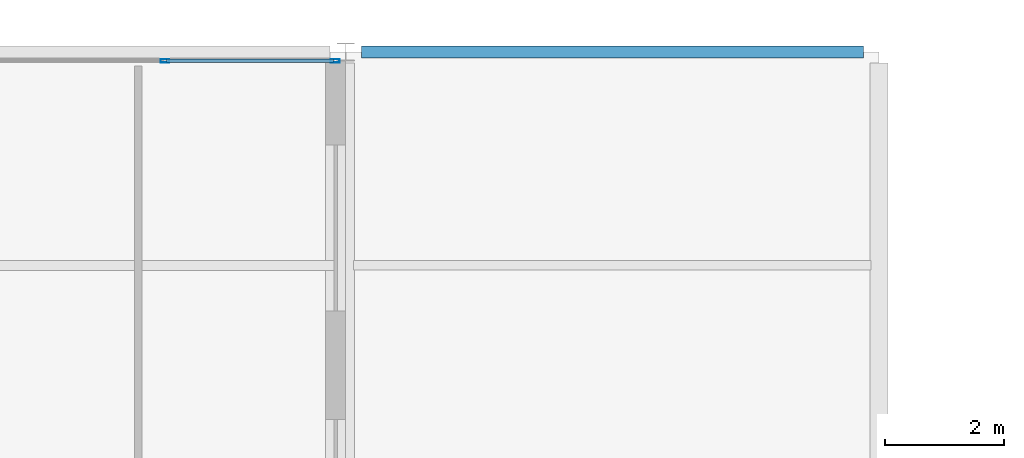
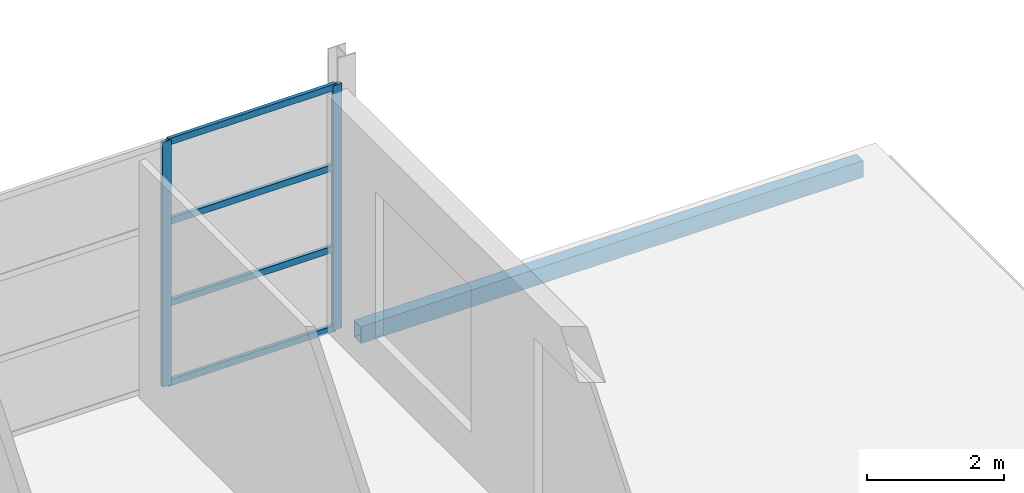
# One storey, part 62 of 134: 6 members, 1 beam, 1 element without a shape of its own.
"""IFC4 building model written with IfcOpenShell, lengths in metres."""

import ifcopenshell
import ifcopenshell.guid

model = None  # the IFC model being written
_history = None  # IfcOwnerHistory: only IFC2X3 demands one
_inside = {}  # id of a spatial element -> (the spatial element, [elements in it])
_under = {}  # id of a project, library or spatial element -> (it, [spatial elements below it])
_declared = {}  # id of a project -> (the project, [libraries it declares])
_typed = {}  # id of a type object -> (the type object, [elements of that type])
_made_of = {}  # id of a material, layer set ... -> (it, [elements and type objects made of it])


def new_model(schema):
    """Start an empty IFC model of exactly this schema.

    Asked for "IFC4X3", IfcOpenShell would pick the latest addendum, in which some entities
    have other attributes; the version numbers below select the first issue.
    IFC2X3 requires an IfcOwnerHistory on every rooted entity: one is made here for all.
    """
    global model, _history
    if schema == "IFC4X3":
        model = ifcopenshell.file(schema_version=(4, 3, 0, 0))
    else:
        model = ifcopenshell.file(schema=schema)
    _inside.clear()
    _under.clear()
    _declared.clear()
    _typed.clear()
    _made_of.clear()
    _history = None
    if model.schema == "IFC2X3":
        org = make("IfcOrganization", Name="unknown")
        user = make(
            "IfcPersonAndOrganization",
            ThePerson=make("IfcPerson", FamilyName="unknown"),
            TheOrganization=org,
        )
        app = make(
            "IfcApplication",
            ApplicationDeveloper=org,
            Version="unknown",
            ApplicationFullName="unknown",
            ApplicationIdentifier="unknown",
        )
        _history = make(
            "IfcOwnerHistory",
            OwningUser=user,
            OwningApplication=app,
            ChangeAction="ADDED",
            CreationDate=0,
        )
    return model


def make(cls, **values):
    """One entity of the class cls with the attributes given. An attribute that is None is left unset."""
    return model.create_entity(
        cls, **{name: value for name, value in values.items() if value is not None}
    )


def rooted(cls, **values):
    """An entity with a GlobalId (a new one), such as an element, a storey or a relation."""
    return make(cls, GlobalId=ifcopenshell.guid.new(), OwnerHistory=_history, **values)


def si_unit(unit_type, name, prefix=None):
    """IfcSIUnit, for example si_unit("LENGTHUNIT", "METRE", prefix="MILLI")."""
    return make("IfcSIUnit", UnitType=unit_type, Prefix=prefix, Name=name)


def assignment(units):
    """IfcUnitAssignment: the units of a project."""
    return None if units is None else make("IfcUnitAssignment", Units=units)


def point(xyz):
    """IfcCartesianPoint."""
    return None if xyz is None else make("IfcCartesianPoint", Coordinates=xyz)


def direction(xyz):
    """IfcDirection."""
    return None if xyz is None else make("IfcDirection", DirectionRatios=xyz)


def frame(location, z_axis=None, x_axis=None):
    """IfcAxis2Placement3D, a coordinate frame: its origin and axes. An axis left out is left unset."""
    return make(
        "IfcAxis2Placement3D",
        Location=point(location),
        Axis=direction(z_axis),
        RefDirection=direction(x_axis),
    )


def frame_2d(location, x_axis=None):
    """IfcAxis2Placement2D, a coordinate frame in the plane: its origin and x axis."""
    return make(
        "IfcAxis2Placement2D", Location=point(location), RefDirection=direction(x_axis)
    )


def origin():
    """The frame at (0, 0, 0) with its axes left unset."""
    return frame((0.0, 0.0, 0.0))


def origin_2d():
    """The frame at (0, 0) in the plane with its x axis left unset."""
    return frame_2d((0.0, 0.0))


def place(relative_to, where):
    """IfcLocalPlacement: puts the frame where relative to a parent placement (None: the world)."""
    return make(
        "IfcLocalPlacement", PlacementRelTo=relative_to, RelativePlacement=where
    )


def context(
    kind, dimensions, precision=None, world=None, true_north=None, identifier=None
):
    """IfcGeometricRepresentationContext, for example the 3D "Model" context."""
    return make(
        "IfcGeometricRepresentationContext",
        ContextIdentifier=identifier,
        ContextType=kind,
        CoordinateSpaceDimension=dimensions,
        Precision=precision,
        WorldCoordinateSystem=world,
        TrueNorth=true_north,
    )


def subcontext(parent, identifier, kind, view, scale=None):
    """IfcGeometricRepresentationSubContext, for example "Body" below "Model"."""
    return make(
        "IfcGeometricRepresentationSubContext",
        ContextIdentifier=identifier,
        ContextType=kind,
        ParentContext=parent,
        TargetScale=scale,
        TargetView=view,
    )


def project(units=None, contexts=None):
    """IfcProject with its units and contexts."""
    return rooted(
        "IfcProject",
        Name="project",
        RepresentationContexts=contexts,
        UnitsInContext=assignment(units),
    )


def spatial(cls, under=None, at=None, **own):
    """A site, building, storey or space (cls), placed at a placement, below another one or the project."""
    s = rooted(cls, ObjectPlacement=at, **own)
    if under is not None:
        _under.setdefault(under.id(), (under, []))[1].append(s)
    return s


def profile(cls, at=None, kind="AREA", **sizes):
    """A parametric profile (cls). Its sizes go by their IFC names, for example OverallWidth=200.0."""
    return make(cls, ProfileType=kind, Position=at, **sizes)


def hollow_rectangle(**sizes):
    """IfcRectangleHollowProfileDef."""
    return profile("IfcRectangleHollowProfileDef", **sizes)


def extrude(swept, where, along, depth):
    """IfcExtrudedAreaSolid: the profile swept, set in the frame where, extruded along a direction by depth."""
    return make(
        "IfcExtrudedAreaSolid",
        SweptArea=swept,
        Position=where,
        ExtrudedDirection=direction(along),
        Depth=depth,
    )


def shape(context_of_items, identifier, shape_type, items):
    """IfcShapeRepresentation: the items that make up one representation, for example the "Body"."""
    return make(
        "IfcShapeRepresentation",
        ContextOfItems=context_of_items,
        RepresentationIdentifier=identifier,
        RepresentationType=shape_type,
        Items=items,
    )


def material(Name=None, Category=None):
    """IfcMaterial."""
    return make("IfcMaterial", Name=Name, Category=Category)


def layer(
    of_material, thickness, ventilated=None, Name=None, Category=None, Priority=None
):
    """IfcMaterialLayer: one layer of a wall or slab, of a material (None: an air gap)."""
    return make(
        "IfcMaterialLayer",
        Material=of_material,
        LayerThickness=thickness,
        IsVentilated=ventilated,
        Name=Name,
        Category=Category,
        Priority=Priority,
    )


def layer_set(layers, Name=None):
    """IfcMaterialLayerSet."""
    return make("IfcMaterialLayerSet", MaterialLayers=layers, LayerSetName=Name)


def material_profile(
    of_material, cross_section, Name=None, Category=None, Priority=None
):
    """IfcMaterialProfile: a cross section and its material."""
    return make(
        "IfcMaterialProfile",
        Name=Name,
        Material=of_material,
        Profile=cross_section,
        Priority=Priority,
        Category=Category,
    )


def profile_set(profiles, Name=None, composite=None):
    """IfcMaterialProfileSet."""
    return make(
        "IfcMaterialProfileSet",
        Name=Name,
        MaterialProfiles=profiles,
        CompositeProfile=composite,
    )


def made_of(thing, what):
    """Note that an element or type object is made of a material, layer set ...; save() writes the relation."""
    if what is not None:
        _made_of.setdefault(what.id(), (what, []))[1].append(thing)
    return thing


def type_object(cls, material=None, **own):
    """A type object (cls), such as IfcWallType, which elements share."""
    return made_of(rooted(cls, **own), material)


def element(
    cls,
    number,
    at=None,
    inside=None,
    cuts=None,
    type_object=None,
    material=None,
    context=None,
    identifier="Body",
    shape_type=None,
    held_by="IfcProductDefinitionShape",
    body=None,
    shapes=None,
    **own,
):
    """One element of the class cls, such as IfcWall. Its Tag is "e" and its number.

    at: its placement. inside: the storey or other place that contains it. cuts: it is an
    opening in that element (IfcRelVoidsElement). A single representation is given by context,
    identifier, shape_type and body (its items); several are given by shapes. held_by: the class
    of the entity that holds the representations. save() writes the other relations.
    """
    e = rooted(cls, Tag="e%d" % number, ObjectPlacement=at, **own)
    if body is not None:
        shapes = [shape(context, identifier, shape_type, body)]
    if shapes is not None:
        e.Representation = make(held_by, Representations=shapes)
    if inside is not None:
        _inside.setdefault(inside.id(), (inside, []))[1].append(e)
    if cuts is not None:
        rooted(
            "IfcRelVoidsElement", RelatingBuildingElement=cuts, RelatedOpeningElement=e
        )
    if type_object is not None:
        _typed.setdefault(type_object.id(), (type_object, []))[1].append(e)
    return made_of(e, material)


def aggregate(whole, parts):
    """IfcRelAggregates: a whole, such as a stair, and the parts it consists of."""
    return rooted("IfcRelAggregates", RelatingObject=whole, RelatedObjects=parts)


def save(model, path):
    """Write the relations noted so far, then the file.

    IfcRelAggregates (storeys below a building ...), IfcRelContainedInSpatialStructure (elements
    in a storey), IfcRelDefinesByType, IfcRelAssociatesMaterial and IfcRelDeclares: one each for
    every whole, place, type object, material and project.
    """
    for whole, parts in _under.values():
        aggregate(whole, parts)
    for where, things in _inside.values():
        rooted(
            "IfcRelContainedInSpatialStructure",
            RelatedElements=things,
            RelatingStructure=where,
        )
    for kind, things in _typed.values():
        rooted("IfcRelDefinesByType", RelatedObjects=things, RelatingType=kind)
    for what, things in _made_of.values():
        rooted("IfcRelAssociatesMaterial", RelatedObjects=things, RelatingMaterial=what)
    for by, libraries in _declared.values():
        rooted("IfcRelDeclares", RelatingContext=by, RelatedDefinitions=libraries)
    model.write(path)


model = new_model("IFC4")

# Units and contexts
model_context = context("Model", 3, precision=1e-05, world=origin(), true_north=direction((0.0, 1.0)))
body_context = subcontext(model_context, "Body", "Model", "MODEL_VIEW")
ifc_project = project(units=[si_unit("LENGTHUNIT", "METRE"), si_unit("AREAUNIT", "SQUARE_METRE"), si_unit("VOLUMEUNIT", "CUBIC_METRE"), si_unit("PLANEANGLEUNIT", "RADIAN"), si_unit("MASSUNIT", "GRAM", prefix="KILO")], contexts=[model_context])

# Site, building, storey
site_placement = place(None, origin())
site = spatial("IfcSite", under=ifc_project, at=site_placement, CompositionType="ELEMENT")
building_placement = place(site_placement, origin())
building = spatial("IfcBuilding", under=site, at=building_placement, Name="Tamarisk Ironworks Central Station", CompositionType="ELEMENT")
storey_placement = place(building_placement, frame((0.0, 0.0, 12.60009765625)))
storey = spatial("IfcBuildingStorey", under=building, at=storey_placement, Name="L02", CompositionType="ELEMENT", Elevation=12.60009765625)

# Beam
ifc_material_1 = material(Name="Structural steel S355J2", Category="steel")
ifc_material_profile_1 = material_profile(ifc_material_1, hollow_rectangle(XDim=0.199951171875, YDim=0.300048828125, WallThickness=0.011962890625, at=origin_2d()), Name="RHS 300x200x12")
ifc_profile_set_1 = profile_set([ifc_material_profile_1], Name="Structural steel S355J2")
beam_type = type_object("IfcBeamType", Name="BM-SP02", PredefinedType="SPANDREL", material=ifc_profile_set_1)
beam_placement = place(storey_placement, frame((36.262939453125, 122.39990234375, -0.31005859375), z_axis=(1.0, 0.0, 0.0), x_axis=(0.0, 1.0, 0.0)))
element("IfcBeam", 1, at=beam_placement, inside=storey, type_object=beam_type, Name="L02 primary girder X-0410", PredefinedType="SPANDREL", context=body_context, shape_type="SweptSolid", body=[
    extrude(hollow_rectangle(XDim=0.199951171875, YDim=0.300048828125, WallThickness=0.011962890625, at=origin_2d()), origin(), (0.0, 0.0, 1.0), 8.47412109375),
])

# Curtain wall, members
ifc_material_2 = material(Name="Anodized aluminium alloy 6063-T6", Category="aluminium")
ifc_layer = layer(ifc_material_2, 0.179931640625)
ifc_layer_set = layer_set([ifc_layer], Name="Anodized aluminium alloy 6063-T6")
curtain_wall_type = type_object("IfcCurtainWallType", Name="CW-14", PredefinedType="USERDEFINED", material=ifc_layer_set)
curtain_wall_placement = place(storey_placement, origin())
curtain_wall = element("IfcCurtainWall", 2, at=curtain_wall_placement, inside=storey, type_object=curtain_wall_type, Name="Pavilion L02 N glazed arcade 27", ObjectType="GLAZED CURTAIN WALL", PredefinedType="USERDEFINED")
ifc_material_profile_2 = material_profile(ifc_material_2, hollow_rectangle(XDim=0.06005859375, YDim=0.14990234375, WallThickness=0.00341796875, at=origin_2d()), Name="ALUM 150x60")
ifc_profile_set_2 = profile_set([ifc_material_profile_2], Name="Anodized aluminium alloy 6063-T6")
member_type_1 = type_object("IfcMemberType", Name="CWM-03", PredefinedType="MULLION", material=ifc_profile_set_2)
member_1_placement = place(storey_placement, frame((32.95068359375, 122.25, 0.0), z_axis=(0.0, 0.0, 1.0), x_axis=(0.0, 1.0, 0.0)))
member_1 = element("IfcMember", 3, at=member_1_placement, type_object=member_type_1, Name="CW14 mullion 3", PredefinedType="MULLION", context=body_context, shape_type="SweptSolid", body=[
    extrude(hollow_rectangle(XDim=0.06005859375, YDim=0.14990234375, WallThickness=0.00341796875, at=origin_2d()), origin(), (0.0, 0.0, 1.0), 4.35986328125),
])
member_2_placement = place(storey_placement, frame((35.822021484375, 122.25, 0.0), z_axis=(0.0, 0.0, 1.0), x_axis=(0.0, 1.0, 0.0)))
member_2 = element("IfcMember", 4, at=member_2_placement, type_object=member_type_1, Name="CW14 mullion 4", PredefinedType="MULLION", context=body_context, shape_type="SweptSolid", body=[
    extrude(hollow_rectangle(XDim=0.06005859375, YDim=0.14990234375, WallThickness=0.00341796875, at=origin_2d()), origin(), (0.0, 0.0, 1.0), 4.35986328125),
])
ifc_material_profile_3 = material_profile(ifc_material_2, hollow_rectangle(XDim=0.06005859375, YDim=0.114990234375, WallThickness=0.00341796875, at=origin_2d()), Name="ALUM 115x60")
ifc_profile_set_3 = profile_set([ifc_material_profile_3], Name="Anodized aluminium alloy 6063-T6")
member_type_2 = type_object("IfcMemberType", Name="CWT-03", PredefinedType="USERDEFINED", material=ifc_profile_set_3)
member_3_placement = place(storey_placement, frame((32.9765625, 122.25, 0.02978515625), z_axis=(1.0, 0.0, 0.0), x_axis=(0.0, 1.0, 0.0)))
member_3 = element("IfcMember", 5, at=member_3_placement, type_object=member_type_2, Name="CW14 transom 3.1", ObjectType="TRANSOM", PredefinedType="USERDEFINED", context=body_context, shape_type="SweptSolid", body=[
    extrude(hollow_rectangle(XDim=0.06005859375, YDim=0.114990234375, WallThickness=0.00341796875, at=origin_2d()), origin(), (0.0, 0.0, 1.0), 2.8193359375),
])
member_4_placement = place(storey_placement, frame((32.9765625, 122.25, 1.453125), z_axis=(1.0, 0.0, 0.0), x_axis=(0.0, 1.0, 0.0)))
member_4 = element("IfcMember", 6, at=member_4_placement, type_object=member_type_2, Name="CW14 transom 3.2", ObjectType="TRANSOM", PredefinedType="USERDEFINED", context=body_context, shape_type="SweptSolid", body=[
    extrude(hollow_rectangle(XDim=0.06005859375, YDim=0.114990234375, WallThickness=0.00341796875, at=origin_2d()), origin(), (0.0, 0.0, 1.0), 2.8193359375),
])
member_5_placement = place(storey_placement, frame((32.9765625, 122.25, 2.906494140625), z_axis=(1.0, 0.0, 0.0), x_axis=(0.0, 1.0, 0.0)))
member_5 = element("IfcMember", 7, at=member_5_placement, type_object=member_type_2, Name="CW14 transom 3.3", ObjectType="TRANSOM", PredefinedType="USERDEFINED", context=body_context, shape_type="SweptSolid", body=[
    extrude(hollow_rectangle(XDim=0.06005859375, YDim=0.114990234375, WallThickness=0.00341796875, at=origin_2d()), origin(), (0.0, 0.0, 1.0), 2.8193359375),
])
member_6_placement = place(storey_placement, frame((32.9765625, 122.25, 4.329833984375), z_axis=(1.0, 0.0, 0.0), x_axis=(0.0, 1.0, 0.0)))
member_6 = element("IfcMember", 8, at=member_6_placement, type_object=member_type_2, Name="CW14 transom 3.4", ObjectType="TRANSOM", PredefinedType="USERDEFINED", context=body_context, shape_type="SweptSolid", body=[
    extrude(hollow_rectangle(XDim=0.06005859375, YDim=0.114990234375, WallThickness=0.00341796875, at=origin_2d()), origin(), (0.0, 0.0, 1.0), 2.8193359375),
])
aggregate(curtain_wall, [member_1, member_2, member_3, member_4, member_5, member_6])

save(model, "model.ifc")
